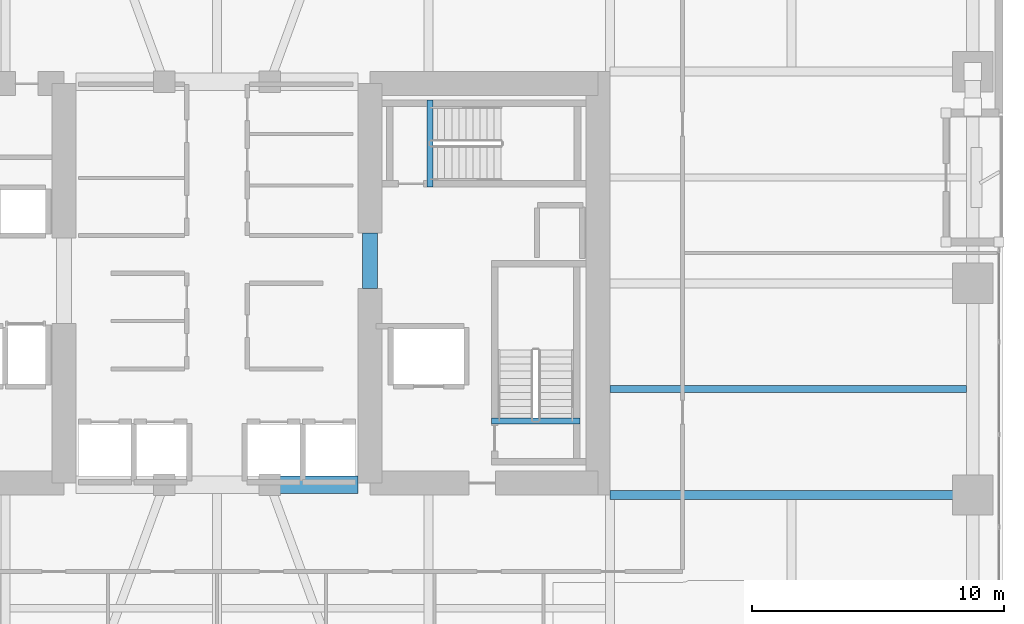
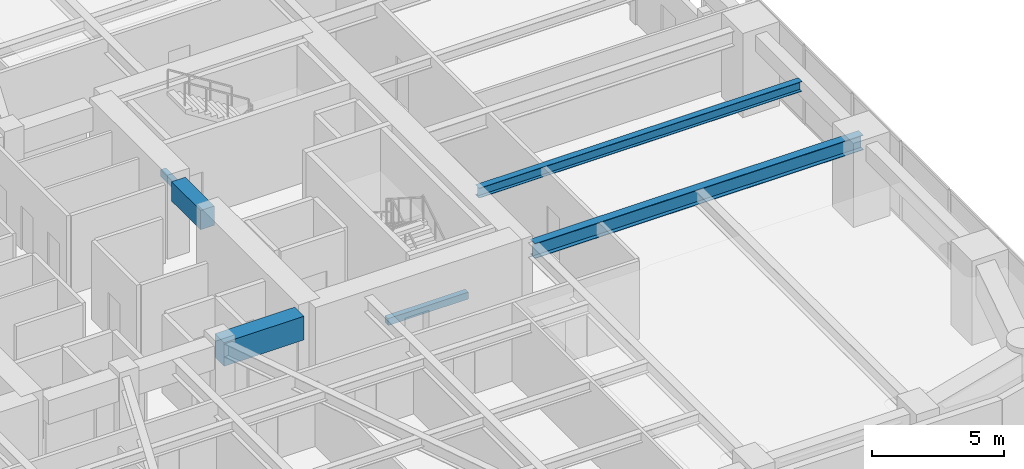
# One storey, part 7 of 28: 6 beams.
"""IFC4 building model written with IfcOpenShell, lengths in metres."""

from ifc_helpers import new_model, si_unit, direction, frame, origin, origin_2d, place, context, subcontext, project, spatial, rectangle, i_section, extrude, material, material_profile, profile_set, type_object, element, save


model = new_model("IFC4")

# Units and contexts
model_context = context("Model", 3, precision=1e-05, world=origin(), true_north=direction((0.0, 1.0)))
body_context = subcontext(model_context, "Body", "Model", "MODEL_VIEW")
ifc_project = project(units=[si_unit("LENGTHUNIT", "METRE"), si_unit("AREAUNIT", "SQUARE_METRE"), si_unit("VOLUMEUNIT", "CUBIC_METRE"), si_unit("PLANEANGLEUNIT", "RADIAN"), si_unit("MASSUNIT", "GRAM", prefix="KILO")], contexts=[model_context])

# Site, building, storey
site_placement = place(None, origin())
site = spatial("IfcSite", under=ifc_project, at=site_placement, CompositionType="ELEMENT")
building_placement = place(site_placement, origin())
building = spatial("IfcBuilding", under=site, at=building_placement, Name="Kiyonajd Concourse Tower", CompositionType="ELEMENT")
storey_placement = place(building_placement, frame((0.0, 0.0, 64.5)))
storey = spatial("IfcBuildingStorey", under=building, at=storey_placement, Name="L17", CompositionType="ELEMENT", Elevation=64.5)

# Beams
ifc_material_1 = material(Name="Concrete C70/85", Category="concrete")
ifc_material_profile_1 = material_profile(ifc_material_1, rectangle(XDim=0.699951171875, YDim=1.10009765625, at=origin_2d()), Name="RCBM-700x1100")
ifc_profile_set_1 = profile_set([ifc_material_profile_1], Name="Concrete C70/85")
beam_type_1 = type_object("IfcBeamType", Name="BM-COUP-1100", PredefinedType="LINTEL", material=ifc_profile_set_1)
beam_1_placement = place(storey_placement, frame((50.10009765625, 28.0, 3.090087890625), z_axis=(1.0, 0.0, 0.0), x_axis=(0.0, 1.0, 0.0)))
element("IfcBeam", 1, at=beam_1_placement, inside=storey, type_object=beam_type_1, Name="L17 Core Coupling Beam S3", PredefinedType="LINTEL", context=body_context, shape_type="SweptSolid", body=[
    extrude(rectangle(XDim=0.699951171875, YDim=1.10009765625, at=origin_2d()), origin(), (0.0, 0.0, 1.0), 3.5),
])
ifc_material_2 = material(Name="Concrete C60/75", Category="concrete")
ifc_material_profile_2 = material_profile(ifc_material_2, rectangle(XDim=0.60009765625, YDim=0.89990234375, at=origin_2d()), Name="RCBM-600x900")
ifc_profile_set_2 = profile_set([ifc_material_profile_2], Name="Concrete C60/75")
beam_type_2 = type_object("IfcBeamType", Name="BM-COUP-900", PredefinedType="LINTEL", material=ifc_profile_set_2)
beam_2_placement = place(storey_placement, frame((54.074951171875, 35.800048828125, 3.090087890625), z_axis=(0.0, 1.0, 0.0), x_axis=(-1.0, 0.0, 0.0)))
element("IfcBeam", 2, at=beam_2_placement, inside=storey, type_object=beam_type_2, Name="L17 East Core Throat Coupling Lintel", PredefinedType="LINTEL", context=body_context, shape_type="SweptSolid", body=[
    extrude(rectangle(XDim=0.60009765625, YDim=0.89990234375, at=origin_2d()), origin(), (0.0, 0.0, 1.0), 2.199951171875),
])
ifc_material_3 = material(Name="Steel ASTM A992 Grade 50", Category="steel")
ifc_material_profile_3 = material_profile(ifc_material_3, i_section(OverallWidth=0.280029296875, OverallDepth=0.462890625, WebThickness=0.0107421875, FlangeThickness=0.017333984375, at=origin_2d()), Name="W460X113")
ifc_profile_set_3 = profile_set([ifc_material_profile_3], Name="Steel ASTM A992 Grade 50")
beam_type_3 = type_object("IfcBeamType", Name="BM-JST-460A", PredefinedType="JOIST", material=ifc_profile_set_3)
beam_3_placement = place(storey_placement, frame((63.60009765625, 31.800048828125, 3.408447265625), z_axis=(1.0, 0.0, 0.0), x_axis=(0.0, 1.0, 0.0)))
element("IfcBeam", 3, at=beam_3_placement, inside=storey, type_object=beam_type_3, Name="L17 East Secondary Floor Joist", PredefinedType="JOIST", context=body_context, shape_type="SweptSolid", body=[
    extrude(i_section(OverallWidth=0.280029296875, OverallDepth=0.462890625, WebThickness=0.0107421875, FlangeThickness=0.017333984375, at=origin_2d()), origin(), (0.0, 0.0, 1.0), 14.14990234375),
])
ifc_material_4 = material(Name="Concrete C50/60", Category="concrete")
ifc_material_profile_4 = material_profile(ifc_material_4, rectangle(XDim=0.239990234375, YDim=0.320068359375, at=origin_2d()), Name="RCBM-240x320")
ifc_profile_set_4 = profile_set([ifc_material_profile_4], Name="Concrete C50/60")
beam_type_4 = type_object("IfcBeamType", Name="BM-LNT-250", PredefinedType="LINTEL", material=ifc_profile_set_4)
beam_4_placement = place(storey_placement, frame((58.889892578125, 30.530029296875, -0.159912109375), z_axis=(1.0, 0.0, 0.0), x_axis=(0.0, 1.0, 0.0)))
element("IfcBeam", 4, at=beam_4_placement, inside=storey, type_object=beam_type_4, Name="L17 Stair ST2 Threshold Support Beam", PredefinedType="LINTEL", context=body_context, shape_type="SweptSolid", body=[
    extrude(rectangle(XDim=0.239990234375, YDim=0.320068359375, at=origin_2d()), origin(), (0.0, 0.0, 1.0), 3.52001953125),
])
beam_5_placement = place(storey_placement, frame((56.4599609375, 39.820068359375, -0.159912109375), z_axis=(0.0, 1.0, 0.0), x_axis=(-1.0, 0.0, 0.0)))
element("IfcBeam", 5, at=beam_5_placement, inside=storey, type_object=beam_type_4, Name="L17 Stair ST3 Threshold Support Beam", PredefinedType="LINTEL", context=body_context, shape_type="SweptSolid", body=[
    extrude(rectangle(XDim=0.239990234375, YDim=0.320068359375, at=origin_2d()), origin(), (0.0, 0.0, 1.0), 3.4599609375),
])
ifc_material_profile_5 = material_profile(ifc_material_3, i_section(OverallWidth=0.35498046875, OverallDepth=0.695068359375, WebThickness=0.015380859375, FlangeThickness=0.02490234375, at=origin_2d()), Name="W690X217")
ifc_profile_set_5 = profile_set([ifc_material_profile_5], Name="Steel ASTM A992 Grade 50")
beam_type_5 = type_object("IfcBeamType", Name="BM-TWR-690", PredefinedType="BEAM", material=ifc_profile_set_5)
beam_6_placement = place(storey_placement, frame((63.60009765625, 27.60009765625, 3.29248046875), z_axis=(1.0, 0.0, 0.0), x_axis=(0.0, 1.0, 0.0)))
element("IfcBeam", 6, at=beam_6_placement, inside=storey, type_object=beam_type_5, Name="L17 East Lease Girder", PredefinedType="BEAM", context=body_context, shape_type="SweptSolid", body=[
    extrude(i_section(OverallWidth=0.35498046875, OverallDepth=0.695068359375, WebThickness=0.015380859375, FlangeThickness=0.02490234375, at=origin_2d()), origin(), (0.0, 0.0, 1.0), 14.39990234375),
])

save(model, "model.ifc")
